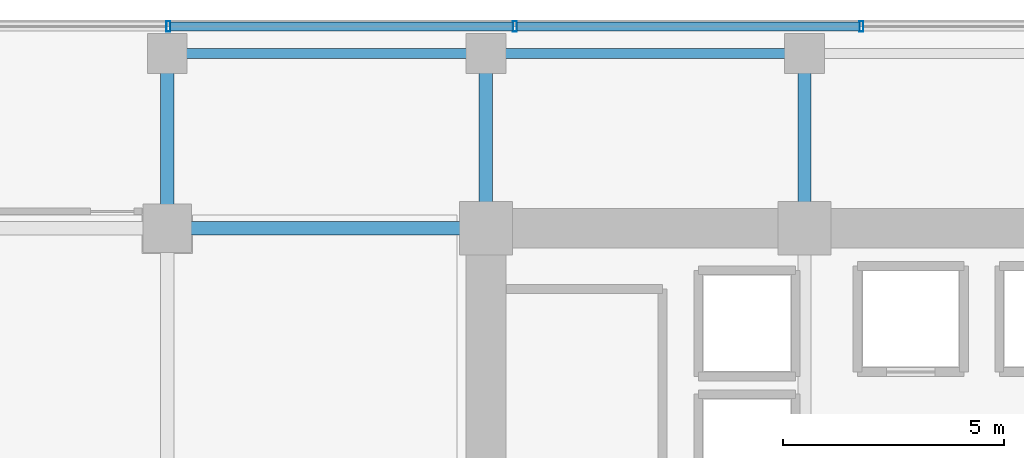
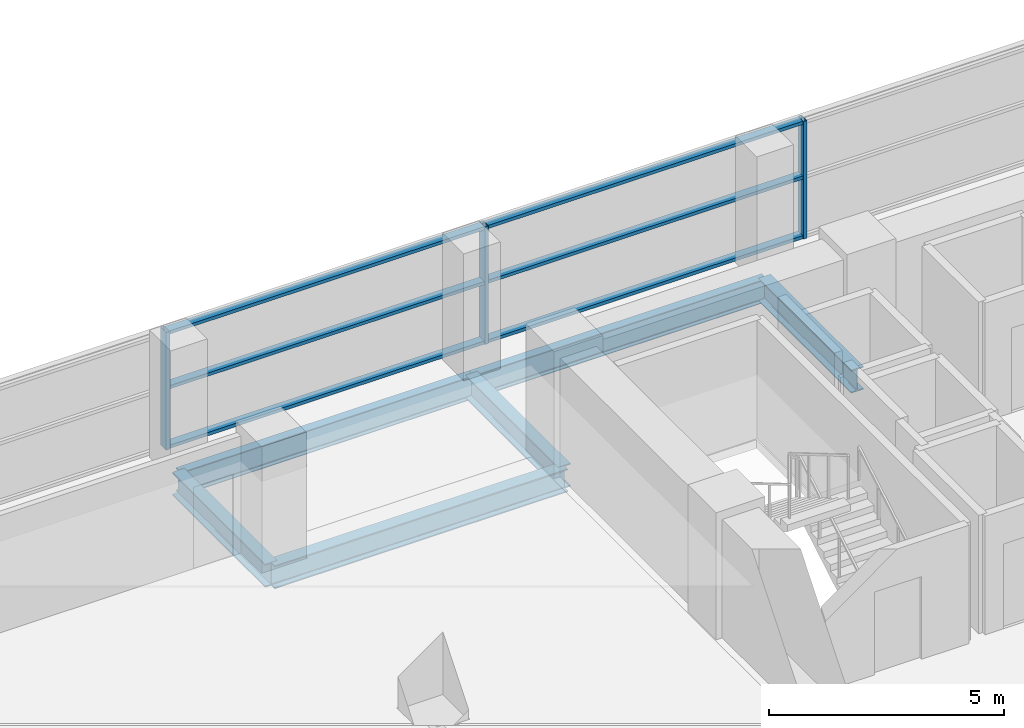
# One storey, part 17 of 30: 9 members, 6 beams, 1 element without a shape of its own.
"""IFC4 building model written with IfcOpenShell, lengths in metres."""

from ifc_helpers import new_model, si_unit, direction, frame, origin, origin_2d, place, context, subcontext, project, spatial, hollow_rectangle, i_section, extrude, source, transform, mapped, material, layer, layer_set, material_profile, profile_set, type_object, element, aggregate, save


model = new_model("IFC4")

# Units and contexts
model_context = context("Model", 3, precision=1e-05, world=origin(), true_north=direction((0.0, 1.0)))
body_context = subcontext(model_context, "Body", "Model", "MODEL_VIEW")
ifc_project = project(units=[si_unit("LENGTHUNIT", "METRE"), si_unit("AREAUNIT", "SQUARE_METRE"), si_unit("VOLUMEUNIT", "CUBIC_METRE"), si_unit("PLANEANGLEUNIT", "RADIAN"), si_unit("MASSUNIT", "GRAM", prefix="KILO")], contexts=[model_context])

# Site, building, storey
site_placement = place(None, origin())
site = spatial("IfcSite", under=ifc_project, at=site_placement, CompositionType="ELEMENT")
building_placement = place(site_placement, origin())
building = spatial("IfcBuilding", under=site, at=building_placement, Name="Zarnakvel Exchange Tower", CompositionType="ELEMENT")
storey_placement = place(building_placement, frame((0.0, 0.0, 30.699951171875)))
storey = spatial("IfcBuildingStorey", under=building, at=storey_placement, Name="L07", CompositionType="ELEMENT", Elevation=30.699951171875)

# Beams
ifc_material_1 = material(Name="Steel S355", Category="steel")
ifc_material_profile_1 = material_profile(ifc_material_1, i_section(OverallWidth=0.300048828125, OverallDepth=0.60009765625, WebThickness=0.015380859375, FlangeThickness=0.030029296875, FilletRadius=0.027099609375, at=origin_2d()))
ifc_profile_set_1 = profile_set([ifc_material_profile_1], Name="Steel S355")
beam_type_1 = type_object("IfcBeamType", Name="G-04", PredefinedType="BEAM", material=ifc_profile_set_1)
beam_1_placement = place(storey_placement, frame((-21.60009765625, 13.5, -0.52490234375), z_axis=(1.0, 0.0, 0.0), x_axis=(0.0, 1.0, 0.0)))
element("IfcBeam", 1, at=beam_1_placement, inside=storey, type_object=beam_type_1, Name="L07 Tower E-W Frame Beam", PredefinedType="BEAM", context=body_context, shape_type="SweptSolid", body=[
    extrude(i_section(OverallWidth=0.300048828125, OverallDepth=0.60009765625, WebThickness=0.015380859375, FlangeThickness=0.030029296875, FilletRadius=0.027099609375, at=origin_2d()), origin(), (0.0, 0.0, 1.0), 7.2001953125),
])
for number, where, z_axis, x_axis, name in (
    (2, (-21.60009765625, 13.5, -0.52490234375), (0.0, 1.0, 0.0), (-1.0, 0.0, 0.0), "L07 Tower N-S Frame Beam"),
    (3, (-14.39990234375, 13.5, -0.52490234375), (0.0, 1.0, 0.0), (-1.0, 0.0, 0.0), "L07 Tower N-S Frame Beam"),
    (4, (-7.199951171875, 13.5, -0.52490234375), (0.0, 1.0, 0.0), (-1.0, 0.0, 0.0), "L07 Tower N-S Frame Beam"),
):
    element("IfcBeam", number, at=place(storey_placement, frame(where, z_axis=z_axis, x_axis=x_axis)), inside=storey, type_object=beam_type_1, Name=name, PredefinedType="BEAM", context=body_context, shape_type="SweptSolid", body=[
        extrude(i_section(OverallWidth=0.300048828125, OverallDepth=0.60009765625, WebThickness=0.015380859375, FlangeThickness=0.030029296875, FilletRadius=0.027099609375, at=origin_2d()), origin(), (0.0, 0.0, 1.0), 3.949951171875),
    ])
ifc_material_profile_2 = material_profile(ifc_material_1, i_section(OverallWidth=0.219970703125, OverallDepth=0.60009765625, WebThickness=0.011962890625, FlangeThickness=0.01904296875, FilletRadius=0.02392578125, at=origin_2d()))
ifc_profile_set_2 = profile_set([ifc_material_profile_2], Name="Steel S355")
beam_type_2 = type_object("IfcBeamType", Name="SP-01", PredefinedType="SPANDREL", material=ifc_profile_set_2)
beam_2_placement = place(storey_placement, frame((-21.60009765625, 17.449951171875, -0.52490234375), z_axis=(1.0, 0.0, 0.0), x_axis=(0.0, 1.0, 0.0)))
element("IfcBeam", 5, at=beam_2_placement, inside=storey, type_object=beam_type_2, Name="L07 Tower E-W Frame Beam", PredefinedType="SPANDREL", context=body_context, shape_type="SweptSolid", body=[
    extrude(i_section(OverallWidth=0.219970703125, OverallDepth=0.60009765625, WebThickness=0.011962890625, FlangeThickness=0.01904296875, FilletRadius=0.02392578125, at=origin_2d()), origin(), (0.0, 0.0, 1.0), 7.2001953125),
])
beam_3_placement = place(storey_placement, frame((-14.39990234375, 17.449951171875, -0.52490234375), z_axis=(1.0, 0.0, 0.0), x_axis=(0.0, 1.0, 0.0)))
element("IfcBeam", 6, at=beam_3_placement, inside=storey, type_object=beam_type_2, Name="L07 Tower E-W Frame Beam", PredefinedType="SPANDREL", context=body_context, shape_type="SweptSolid", body=[
    extrude(i_section(OverallWidth=0.219970703125, OverallDepth=0.60009765625, WebThickness=0.011962890625, FlangeThickness=0.01904296875, FilletRadius=0.02392578125, at=origin_2d()), origin(), (0.0, 0.0, 1.0), 7.199951171875),
])

# Curtain wall, members
ifc_material_2 = material(Name="Architectural Bronze Anodised Aluminium", Category="aluminium")
ifc_layer = layer(ifc_material_2, 0.239990234375)
ifc_layer_set = layer_set([ifc_layer], Name="Architectural Bronze Anodised Aluminium")
curtain_wall_type = type_object("IfcCurtainWallType", Name="CW-02", PredefinedType="NOTDEFINED", material=ifc_layer_set)
curtain_wall_placement = place(storey_placement, origin())
curtain_wall = element("IfcCurtainWall", 7, at=curtain_wall_placement, inside=storey, type_object=curtain_wall_type, Name="L07 Curtain Wall CW-L07-N1 (CW-02)", PredefinedType="NOTDEFINED")
ifc_material_profile_3 = material_profile(ifc_material_2, hollow_rectangle(XDim=0.199951171875, YDim=0.0849609375, WallThickness=0.0048828125, at=origin_2d()))
ifc_profile_set_3 = profile_set([ifc_material_profile_3], Name="Architectural Bronze Anodised Aluminium")
member_type_1 = type_object("IfcMemberType", Name="CWT-02", PredefinedType="USERDEFINED", material=ifc_profile_set_3)
shared_shape_1 = source(origin(), body_context, "Body", "SweptSolid", [
    extrude(hollow_rectangle(XDim=0.199951171875, YDim=0.0849609375, WallThickness=0.0048828125, at=origin_2d()), origin(), (0.0, 0.0, 1.0), 7.738525390625),
])
member_1_placement = place(storey_placement, frame((-21.5263671875, 18.06005859375, 0.04248046875), z_axis=(1.0, 0.0, 0.0), x_axis=(0.0, 1.0, 0.0)))
member_1 = element("IfcMember", 8, at=member_1_placement, type_object=member_type_1, Name="CW-02 transom 2.1", ObjectType="TRANSOM", PredefinedType="USERDEFINED", context=body_context, shape_type="MappedRepresentation", body=[
    mapped(shared_shape_1, transform((0.0, 0.0, 0.0), x_axis=(1.0, 0.0, 0.0), y_axis=(0.0, 1.0, 0.0), z_axis=(0.0, 0.0, 1.0), scale=1.0)),
])
member_2_placement = place(storey_placement, frame((-21.5263671875, 18.06005859375, 1.588623046875), z_axis=(1.0, 0.0, 0.0), x_axis=(0.0, 1.0, 0.0)))
member_2 = element("IfcMember", 9, at=member_2_placement, type_object=member_type_1, Name="CW-02 transom 2.2", ObjectType="TRANSOM", PredefinedType="USERDEFINED", context=body_context, shape_type="MappedRepresentation", body=[
    mapped(shared_shape_1, transform((0.0, 0.0, 0.0), x_axis=(1.0, 0.0, 0.0), y_axis=(0.0, 1.0, 0.0), z_axis=(0.0, 0.0, 1.0), scale=1.0)),
])
member_3_placement = place(storey_placement, frame((-21.5263671875, 18.06005859375, 3.012451171875), z_axis=(1.0, 0.0, 0.0), x_axis=(0.0, 1.0, 0.0)))
member_3 = element("IfcMember", 10, at=member_3_placement, type_object=member_type_1, Name="CW-02 transom 2.3", ObjectType="TRANSOM", PredefinedType="USERDEFINED", context=body_context, shape_type="MappedRepresentation", body=[
    mapped(shared_shape_1, transform((0.0, 0.0, 0.0), x_axis=(1.0, 0.0, 0.0), y_axis=(0.0, 1.0, 0.0), z_axis=(0.0, 0.0, 1.0), scale=1.0)),
])
member_4_placement = place(storey_placement, frame((-13.69775390625, 18.06005859375, 0.04248046875), z_axis=(1.0, 0.0, 0.0), x_axis=(0.0, 1.0, 0.0)))
member_4 = element("IfcMember", 11, at=member_4_placement, type_object=member_type_1, Name="CW-02 transom 3.1", ObjectType="TRANSOM", PredefinedType="USERDEFINED", context=body_context, shape_type="MappedRepresentation", body=[
    mapped(shared_shape_1, transform((0.0, 0.0, 0.0), x_axis=(1.0, 0.0, 0.0), y_axis=(0.0, 1.0, 0.0), z_axis=(0.0, 0.0, 1.0), scale=1.0)),
])
member_5_placement = place(storey_placement, frame((-13.69775390625, 18.06005859375, 1.588623046875), z_axis=(1.0, 0.0, 0.0), x_axis=(0.0, 1.0, 0.0)))
member_5 = element("IfcMember", 12, at=member_5_placement, type_object=member_type_1, Name="CW-02 transom 3.2", ObjectType="TRANSOM", PredefinedType="USERDEFINED", context=body_context, shape_type="MappedRepresentation", body=[
    mapped(shared_shape_1, transform((0.0, 0.0, 0.0), x_axis=(1.0, 0.0, 0.0), y_axis=(0.0, 1.0, 0.0), z_axis=(0.0, 0.0, 1.0), scale=1.0)),
])
member_6_placement = place(storey_placement, frame((-13.69775390625, 18.06005859375, 3.012451171875), z_axis=(1.0, 0.0, 0.0), x_axis=(0.0, 1.0, 0.0)))
member_6 = element("IfcMember", 13, at=member_6_placement, type_object=member_type_1, Name="CW-02 transom 3.3", ObjectType="TRANSOM", PredefinedType="USERDEFINED", context=body_context, shape_type="MappedRepresentation", body=[
    mapped(shared_shape_1, transform((0.0, 0.0, 0.0), x_axis=(1.0, 0.0, 0.0), y_axis=(0.0, 1.0, 0.0), z_axis=(0.0, 0.0, 1.0), scale=1.0)),
])
ifc_material_profile_4 = material_profile(ifc_material_2, hollow_rectangle(XDim=0.239990234375, YDim=0.090087890625, WallThickness=0.006103515625, at=origin_2d()))
ifc_profile_set_4 = profile_set([ifc_material_profile_4], Name="Architectural Bronze Anodised Aluminium")
member_type_2 = type_object("IfcMemberType", Name="CWM-02", PredefinedType="MULLION", material=ifc_profile_set_4)
shared_shape_2 = source(origin(), body_context, "Body", "SweptSolid", [
    extrude(hollow_rectangle(XDim=0.239990234375, YDim=0.090087890625, WallThickness=0.006103515625, at=origin_2d()), origin(), (0.0, 0.0, 1.0), 3.054931640625),
])
member_7_placement = place(storey_placement, frame((-21.571533203125, 18.06005859375, 0.0), z_axis=(0.0, 0.0, 1.0), x_axis=(0.0, 1.0, 0.0)))
member_7 = element("IfcMember", 14, at=member_7_placement, type_object=member_type_2, Name="CW-02 mullion 2", PredefinedType="MULLION", context=body_context, shape_type="MappedRepresentation", body=[
    mapped(shared_shape_2, transform((0.0, 0.0, 0.0), x_axis=(1.0, 0.0, 0.0), y_axis=(0.0, 1.0, 0.0), z_axis=(0.0, 0.0, 1.0), scale=1.0)),
])
member_8_placement = place(storey_placement, frame((-13.742919921875, 18.06005859375, 0.0), z_axis=(0.0, 0.0, 1.0), x_axis=(0.0, 1.0, 0.0)))
member_8 = element("IfcMember", 15, at=member_8_placement, type_object=member_type_2, Name="CW-02 mullion 3", PredefinedType="MULLION", context=body_context, shape_type="MappedRepresentation", body=[
    mapped(shared_shape_2, transform((0.0, 0.0, 0.0), x_axis=(1.0, 0.0, 0.0), y_axis=(0.0, 1.0, 0.0), z_axis=(0.0, 0.0, 1.0), scale=1.0)),
])
member_9_placement = place(storey_placement, frame((-5.914306640625, 18.06005859375, 0.0), z_axis=(0.0, 0.0, 1.0), x_axis=(0.0, 1.0, 0.0)))
member_9 = element("IfcMember", 16, at=member_9_placement, type_object=member_type_2, Name="CW-02 mullion 4", PredefinedType="MULLION", context=body_context, shape_type="MappedRepresentation", body=[
    mapped(shared_shape_2, transform((0.0, 0.0, 0.0), x_axis=(1.0, 0.0, 0.0), y_axis=(0.0, 1.0, 0.0), z_axis=(0.0, 0.0, 1.0), scale=1.0)),
])
aggregate(curtain_wall, [member_7, member_8, member_9, member_1, member_2, member_3, member_4, member_5, member_6])

save(model, "model.ifc")
